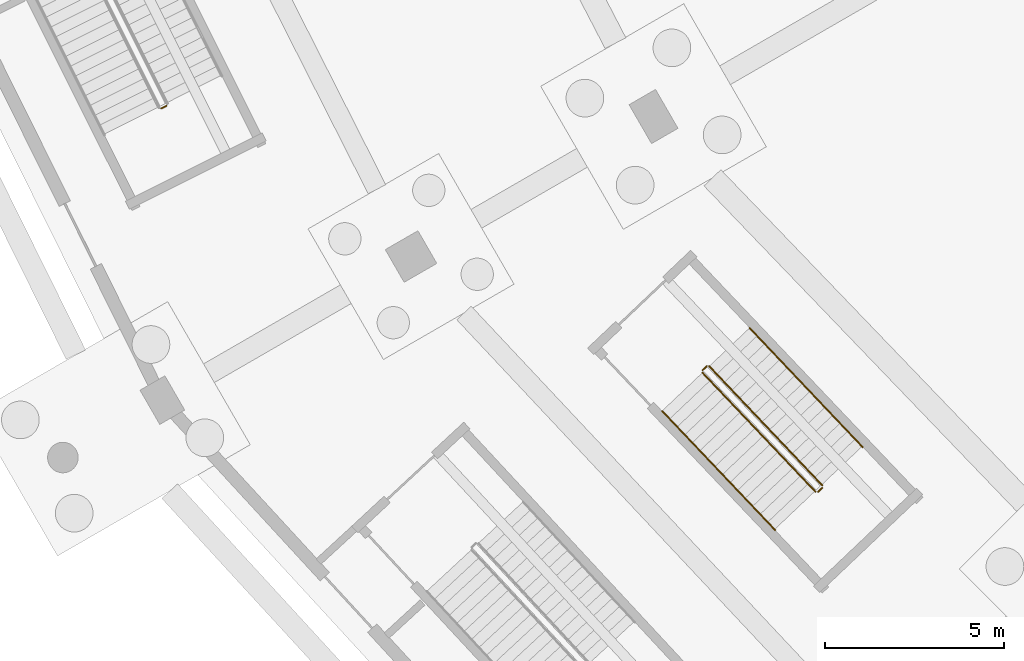
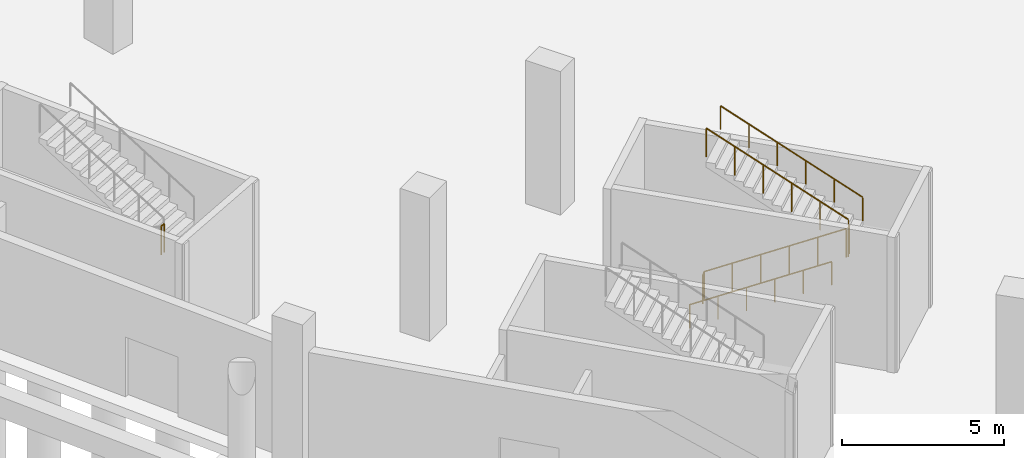
# One storey, part 60 of 103: 7 railings.
"""IFC4 building model written with IfcOpenShell, lengths in metres."""

from ifc_helpers import new_model, si_unit, direction, frame, origin, origin_2d, place, context, subcontext, project, spatial, circle, extrude, material, type_object, element, save


model = new_model("IFC4")

# Units and contexts
model_context = context("Model", 3, precision=1e-05, world=origin(), true_north=direction((0.0, 1.0)))
body_context = subcontext(model_context, "Body", "Model", "MODEL_VIEW")
ifc_project = project(units=[si_unit("LENGTHUNIT", "METRE"), si_unit("AREAUNIT", "SQUARE_METRE"), si_unit("VOLUMEUNIT", "CUBIC_METRE"), si_unit("PLANEANGLEUNIT", "RADIAN"), si_unit("MASSUNIT", "GRAM", prefix="KILO")], contexts=[model_context])

# Site, building, storey
site_placement = place(None, origin())
site = spatial("IfcSite", under=ifc_project, at=site_placement, CompositionType="ELEMENT")
building_placement = place(site_placement, origin())
building = spatial("IfcBuilding", under=site, at=building_placement, Name="Zevraka Park Crest Stadium", CompositionType="ELEMENT")
storey_placement = place(building_placement, origin())
storey = spatial("IfcBuildingStorey", under=building, at=storey_placement, Name="L00", CompositionType="ELEMENT", Elevation=0.0)

# Railings
ifc_material_1 = material(Name="Powder-coated tubular steel stairwell guard", Category="steel")
railing_type_1 = type_object("IfcRailingType", Name="GR03", PredefinedType="GUARDRAIL", material=ifc_material_1)
railing_1_placement = place(storey_placement, frame((33.769775390625, 62.473876953125, 2.699951171875)))
element("IfcRailing", 1, at=railing_1_placement, inside=storey, type_object=railing_type_1, Name="L00 ST14 stair guard 2", PredefinedType="GUARDRAIL", context=body_context, shape_type="SweptSolid", body=[
    extrude(circle(Radius=0.02392578125, at=origin_2d()), frame((0.0, 0.0, 1.076171875), z_axis=(0.893816245171, 0.44843340628, 0.0), x_axis=(-0.44843340628, 0.893816245171, 0.0)), (0.0, 0.0, 1.0), 0.16015625),
    extrude(circle(Radius=0.02099609375, at=origin_2d()), origin(), (0.0, 0.0, 1.0), 1.052001953125),
    extrude(circle(Radius=0.02099609375, at=origin_2d()), frame((0.14306640625, 0.07177734375, 0.0)), (0.0, 0.0, 1.0), 1.052001953125),
])
railing_2_placement = place(storey_placement, frame((48.844970703125, 55.114013671875, 0.168701171875)))
element("IfcRailing", 2, at=railing_2_placement, inside=storey, type_object=railing_type_1, Name="L00 ST40 stair guard 1", PredefinedType="GUARDRAIL", context=body_context, shape_type="SweptSolid", body=[
    extrude(circle(Radius=0.02392578125, at=origin_2d()), frame((0.0, 0.0, 1.076171875), z_axis=(0.602303917005, -0.634709445992, 0.484121793279), x_axis=(0.725381707983, 0.688346844057, 0.0)), (0.0, 0.0, 1.0), 5.228515625),
    extrude(circle(Radius=0.02099609375, at=origin_2d()), origin(), (0.0, 0.0, 1.0), 1.052001953125),
    extrude(circle(Radius=0.02099609375, at=origin_2d()), frame((0.6298828125, -0.663818359375, 0.50634765625)), (0.0, 0.0, 1.0), 1.052001953125),
    extrude(circle(Radius=0.02099609375, at=origin_2d()), frame((1.259765625, -1.327392578125, 1.012451171875)), (0.0, 0.0, 1.0), 1.052001953125),
    extrude(circle(Radius=0.02099609375, at=origin_2d()), frame((1.889404296875, -1.9912109375, 1.518798828125)), (0.0, 0.0, 1.0), 1.052001953125),
    extrude(circle(Radius=0.02099609375, at=origin_2d()), frame((2.519287109375, -2.65478515625, 2.02490234375)), (0.0, 0.0, 1.0), 1.052001953125),
    extrude(circle(Radius=0.02099609375, at=origin_2d()), frame((3.149169921875, -3.318603515625, 2.53125)), (0.0, 0.0, 1.0), 1.052001953125),
])
railing_3_placement = place(storey_placement, frame((52.06494140625, 51.79345703125, 2.699951171875)))
element("IfcRailing", 3, at=railing_3_placement, inside=storey, type_object=railing_type_1, Name="L00 ST40 stair guard 2", PredefinedType="GUARDRAIL", context=body_context, shape_type="SweptSolid", body=[
    extrude(circle(Radius=0.02392578125, at=origin_2d()), frame((0.0, 0.0, 1.076171875), z_axis=(0.725189994535, 0.688548815863, 0.0), x_axis=(-0.688548815863, 0.725189994535, 0.0)), (0.0, 0.0, 1.0), 0.159912109375),
    extrude(circle(Radius=0.02099609375, at=origin_2d()), origin(), (0.0, 0.0, 1.0), 1.052001953125),
    extrude(circle(Radius=0.02099609375, at=origin_2d()), frame((0.115966796875, 0.110107421875, 0.0)), (0.0, 0.0, 1.0), 1.052001953125),
])
railing_4_placement = place(storey_placement, frame((52.182861328125, 51.974365234375, 2.86865234375)))
element("IfcRailing", 4, at=railing_4_placement, inside=storey, type_object=railing_type_1, Name="L00 ST40 stair guard 3", PredefinedType="GUARDRAIL", context=body_context, shape_type="SweptSolid", body=[
    extrude(circle(Radius=0.02392578125, at=origin_2d()), frame((0.0, 0.0, 1.076171875), z_axis=(-0.602303917005, 0.634709445992, 0.484121793279), x_axis=(-0.725381707983, -0.688346844057, 0.0)), (0.0, 0.0, 1.0), 5.228515625),
    extrude(circle(Radius=0.02099609375, at=origin_2d()), origin(), (0.0, 0.0, 1.0), 1.052001953125),
    extrude(circle(Radius=0.02099609375, at=origin_2d()), frame((-0.6298828125, 0.663818359375, 0.50634765625)), (0.0, 0.0, 1.0), 1.052001953125),
    extrude(circle(Radius=0.02099609375, at=origin_2d()), frame((-1.259765625, 1.327392578125, 1.012451171875)), (0.0, 0.0, 1.0), 1.052001953125),
    extrude(circle(Radius=0.02099609375, at=origin_2d()), frame((-1.889404296875, 1.9912109375, 1.518798828125)), (0.0, 0.0, 1.0), 1.052001953125),
    extrude(circle(Radius=0.02099609375, at=origin_2d()), frame((-2.519287109375, 2.65478515625, 2.02490234375)), (0.0, 0.0, 1.0), 1.052001953125),
    extrude(circle(Radius=0.02099609375, at=origin_2d()), frame((-3.149169921875, 3.318603515625, 2.53125)), (0.0, 0.0, 1.0), 1.052001953125),
])
railing_5_placement = place(storey_placement, frame((48.846923828125, 55.184814453125, 0.0)))
element("IfcRailing", 5, at=railing_5_placement, inside=storey, type_object=railing_type_1, Name="L00 ST40 stair guard 4", PredefinedType="GUARDRAIL", context=body_context, shape_type="SweptSolid", body=[
    extrude(circle(Radius=0.02392578125, at=origin_2d()), frame((0.0, 0.0, 1.076171875), z_axis=(0.725189994535, 0.688548815863, 0.0), x_axis=(-0.688548815863, 0.725189994535, 0.0)), (0.0, 0.0, 1.0), 0.159912109375),
    extrude(circle(Radius=0.02099609375, at=origin_2d()), origin(), (0.0, 0.0, 1.0), 1.052001953125),
    extrude(circle(Radius=0.02099609375, at=origin_2d()), frame((0.115966796875, 0.110107421875, 0.0)), (0.0, 0.0, 1.0), 1.052001953125),
])
ifc_material_2 = material(Name="Brushed stainless steel continuous handrail", Category="steel")
railing_type_2 = type_object("IfcRailingType", Name="HR01", PredefinedType="HANDRAIL", material=ifc_material_2)
railing_6_placement = place(storey_placement, frame((47.720703125, 54.047119140625, 0.168701171875)))
element("IfcRailing", 6, at=railing_6_placement, inside=storey, type_object=railing_type_2, Name="L00 ST40 stair handrail 1", PredefinedType="HANDRAIL", context=body_context, shape_type="SweptSolid", body=[
    extrude(circle(Radius=0.02392578125, at=origin_2d()), frame((0.0, 0.0, 0.8759765625), z_axis=(0.602303917005, -0.634709445992, 0.484121793279), x_axis=(0.725381707983, 0.688346844057, 0.0)), (0.0, 0.0, 1.0), 5.228515625),
    extrude(circle(Radius=0.02099609375, at=origin_2d()), origin(), (0.0, 0.0, 1.0), 0.851806640625),
    extrude(circle(Radius=0.02099609375, at=origin_2d()), frame((0.6298828125, -0.663818359375, 0.50634765625)), (0.0, 0.0, 1.0), 0.851806640625),
    extrude(circle(Radius=0.02099609375, at=origin_2d()), frame((1.259765625, -1.327392578125, 1.012451171875)), (0.0, 0.0, 1.0), 0.851806640625),
    extrude(circle(Radius=0.02099609375, at=origin_2d()), frame((1.889404296875, -1.9912109375, 1.518798828125)), (0.0, 0.0, 1.0), 0.851806640625),
    extrude(circle(Radius=0.02099609375, at=origin_2d()), frame((2.519287109375, -2.65478515625, 2.02490234375)), (0.0, 0.0, 1.0), 0.851806640625),
    extrude(circle(Radius=0.02099609375, at=origin_2d()), frame((3.149169921875, -3.318603515625, 2.53125)), (0.0, 0.0, 1.0), 0.851806640625),
])
railing_7_placement = place(storey_placement, frame((53.30712890625, 53.041259765625, 2.86865234375)))
element("IfcRailing", 7, at=railing_7_placement, inside=storey, type_object=railing_type_2, Name="L00 ST40 stair handrail 2", PredefinedType="HANDRAIL", context=body_context, shape_type="SweptSolid", body=[
    extrude(circle(Radius=0.02392578125, at=origin_2d()), frame((0.0, 0.0, 0.8759765625), z_axis=(-0.602303917005, 0.634709445992, 0.484121793279), x_axis=(-0.725381707983, -0.688346844057, 0.0)), (0.0, 0.0, 1.0), 5.228515625),
    extrude(circle(Radius=0.02099609375, at=origin_2d()), origin(), (0.0, 0.0, 1.0), 0.851806640625),
    extrude(circle(Radius=0.02099609375, at=origin_2d()), frame((-0.6298828125, 0.663818359375, 0.50634765625)), (0.0, 0.0, 1.0), 0.851806640625),
    extrude(circle(Radius=0.02099609375, at=origin_2d()), frame((-1.259765625, 1.327392578125, 1.012451171875)), (0.0, 0.0, 1.0), 0.851806640625),
    extrude(circle(Radius=0.02099609375, at=origin_2d()), frame((-1.889404296875, 1.9912109375, 1.518798828125)), (0.0, 0.0, 1.0), 0.851806640625),
    extrude(circle(Radius=0.02099609375, at=origin_2d()), frame((-2.519287109375, 2.65478515625, 2.02490234375)), (0.0, 0.0, 1.0), 0.851806640625),
    extrude(circle(Radius=0.02099609375, at=origin_2d()), frame((-3.149169921875, 3.318603515625, 2.53125)), (0.0, 0.0, 1.0), 0.851806640625),
])

save(model, "model.ifc")
